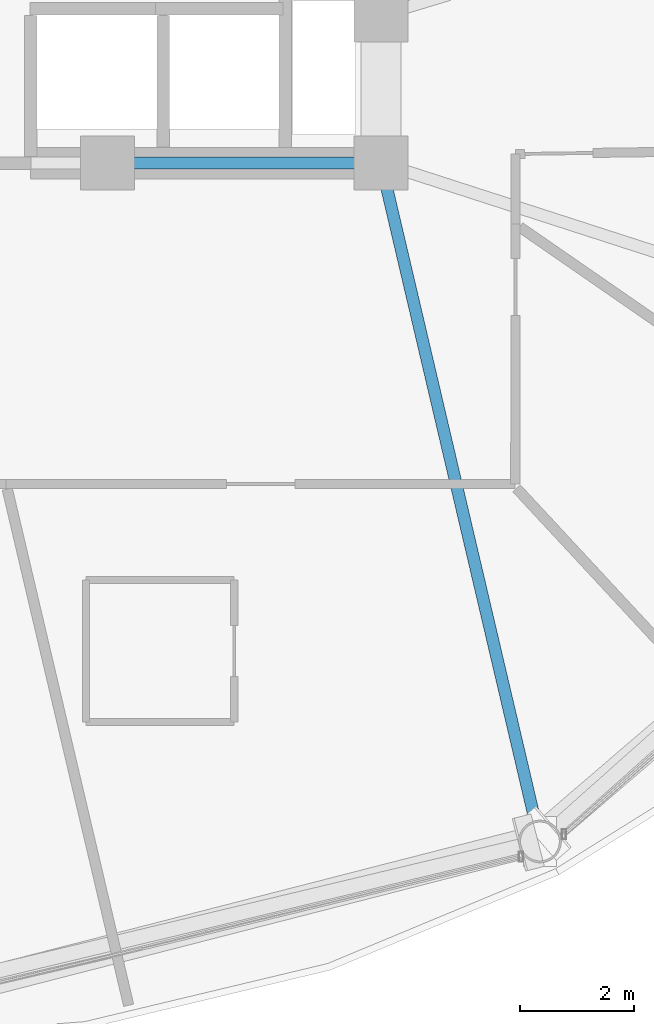
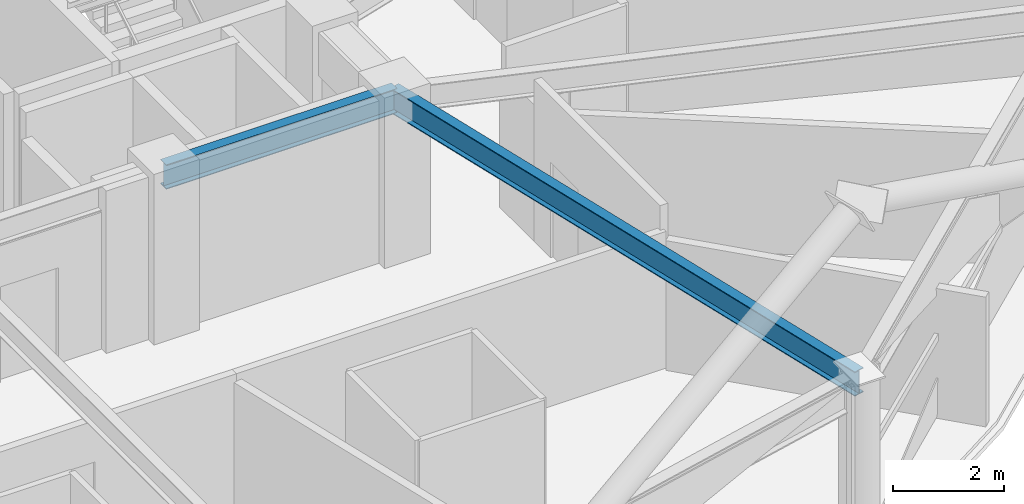
# One storey, part 9 of 29: 2 beams.
"""IFC4 building model written with IfcOpenShell, lengths in metres."""

from ifc_helpers import new_model, si_unit, direction, frame, origin, origin_2d, place, context, subcontext, project, spatial, i_section, extrude, material, material_profile, profile_set, type_object, element, save


model = new_model("IFC4")

# Units and contexts
model_context = context("Model", 3, precision=1e-05, world=origin(), true_north=direction((0.0, 1.0)))
body_context = subcontext(model_context, "Body", "Model", "MODEL_VIEW")
ifc_project = project(units=[si_unit("LENGTHUNIT", "METRE"), si_unit("AREAUNIT", "SQUARE_METRE"), si_unit("VOLUMEUNIT", "CUBIC_METRE"), si_unit("PLANEANGLEUNIT", "RADIAN"), si_unit("MASSUNIT", "GRAM", prefix="KILO")], contexts=[model_context])

# Site, building, storey
site_placement = place(None, origin())
site = spatial("IfcSite", under=ifc_project, at=site_placement, CompositionType="ELEMENT")
building_placement = place(site_placement, origin())
building = spatial("IfcBuilding", under=site, at=building_placement, Name="Vantalir Tower", CompositionType="ELEMENT")
storey_placement = place(building_placement, frame((0.0, 0.0, 157.199951171875)))
storey = spatial("IfcBuildingStorey", under=building, at=storey_placement, Name="L39", CompositionType="ELEMENT", Elevation=157.199951171875)

# Beams
ifc_material = material(Name="Steel S355", Category="steel")
ifc_material_profile = material_profile(ifc_material, i_section(OverallWidth=0.2109375, OverallDepth=0.5390625, WebThickness=0.01171875, FlangeThickness=0.018798828125, at=origin_2d()), Name="Steel S355")
ifc_profile_set = profile_set([ifc_material_profile], Name="Steel S355")
beam_type = type_object("IfcBeamType", Name="BM-RB-533x210", PredefinedType="BEAM", material=ifc_profile_set)
beam_1_placement = place(storey_placement, frame((36.300048828125, 17.800048828125, 3.301025390625), z_axis=(1.0, 0.0, 0.0), x_axis=(0.0, 1.0, 0.0)))
element("IfcBeam", 1, at=beam_1_placement, inside=storey, type_object=beam_type, Name="L39 Core Coupling Girder 04", PredefinedType="BEAM", context=body_context, shape_type="SweptSolid", body=[
    extrude(i_section(OverallWidth=0.2109375, OverallDepth=0.5390625, WebThickness=0.01171875, FlangeThickness=0.018798828125, at=origin_2d()), origin(), (0.0, 0.0, 1.0), 4.800048828125),
])
beam_2_placement = place(storey_placement, frame((43.89208984375, 5.887939453125, 3.301025390625), z_axis=(-0.228198416036, 0.973614648061, 0.0), x_axis=(-0.973614648061, -0.228198416036, 0.0)))
element("IfcBeam", 2, at=beam_2_placement, inside=storey, type_object=beam_type, Name="L39 Radial Floor Beam 11", PredefinedType="BEAM", context=body_context, shape_type="SweptSolid", body=[
    extrude(i_section(OverallWidth=0.2109375, OverallDepth=0.5390625, WebThickness=0.01171875, FlangeThickness=0.018798828125, at=origin_2d()), origin(), (0.0, 0.0, 1.0), 12.23486328125),
])

save(model, "model.ifc")
